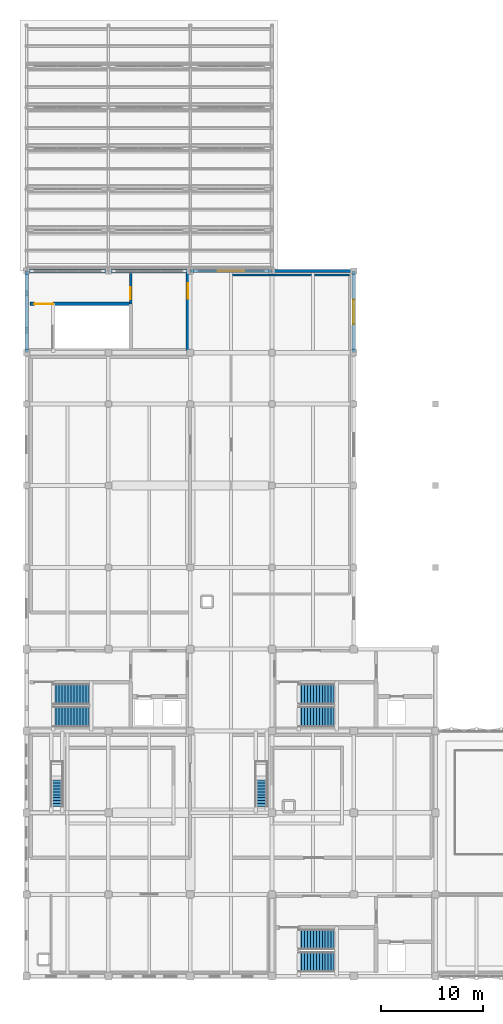
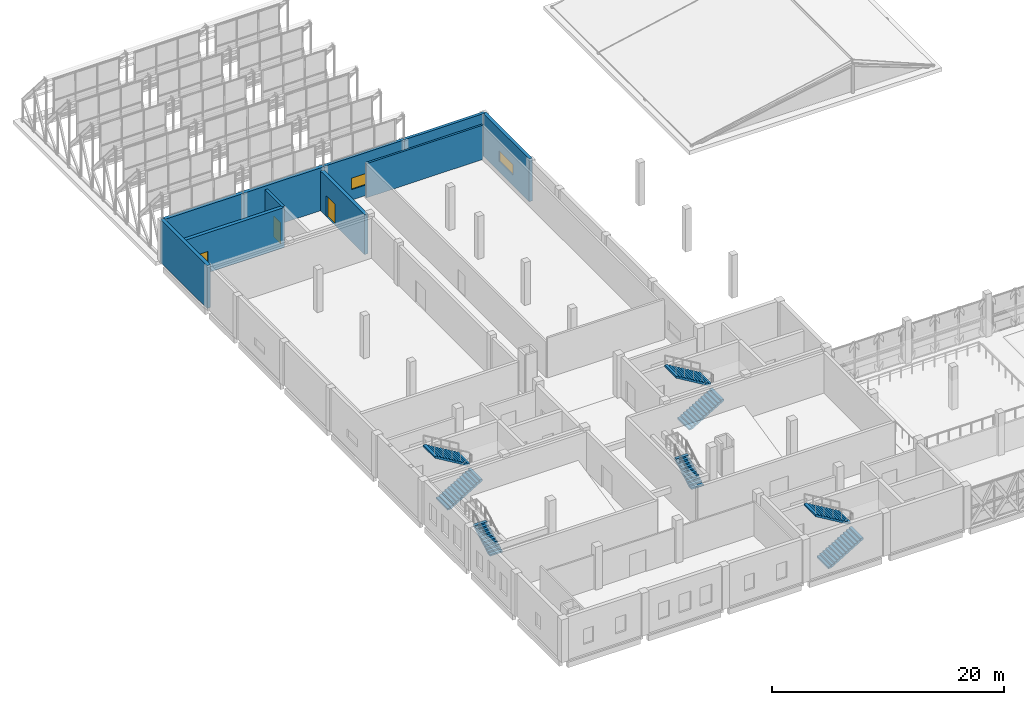
# One storey, part 39 of 43: 10 walls, 8 stair flights, 3 doors, 2 windows, 5 openings, 5 elements without a shape of their own.
"""IFC4 building model written with IfcOpenShell, lengths in metres."""

from ifc_helpers import new_model, si_unit, direction, frame, frame_2d, origin, place, context, subcontext, project, spatial, polyline, rectangle, outline, extrude, material, layer, layer_set, type_object, element, fill, aggregate, save


model = new_model("IFC4")

# Units and contexts
model_context = context("Model", 3, precision=1e-05, world=origin(), true_north=direction((0.0, 1.0)))
body_context = subcontext(model_context, "Body", "Model", "MODEL_VIEW")
ifc_project = project(units=[si_unit("LENGTHUNIT", "METRE"), si_unit("AREAUNIT", "SQUARE_METRE"), si_unit("VOLUMEUNIT", "CUBIC_METRE"), si_unit("PLANEANGLEUNIT", "RADIAN"), si_unit("MASSUNIT", "GRAM", prefix="KILO")], contexts=[model_context])

# Site, building, storey
site_placement = place(None, origin())
site = spatial("IfcSite", under=ifc_project, at=site_placement, CompositionType="ELEMENT")
building_placement = place(site_placement, origin())
building = spatial("IfcBuilding", under=site, at=building_placement, Name="Qorikala Patio Media Centre", CompositionType="ELEMENT")
storey_placement = place(building_placement, frame((0.0, 0.0, 18.89990234375)))
storey = spatial("IfcBuildingStorey", under=building, at=storey_placement, Name="L04", CompositionType="ELEMENT", Elevation=18.89990234375)

# Walls
ifc_material_1 = material(Name="Concrete C35/45", Category="concrete")
ifc_layer_1 = layer(ifc_material_1, 0.35009765625)
ifc_layer_set_1 = layer_set([ifc_layer_1], Name="Concrete C35/45")
wall_type_1 = type_object("IfcWallType", Name="WL-CORE-350", PredefinedType="SHEAR", material=ifc_layer_set_1)
for number, where, z_axis, x_axis, name in (
    (1, (3.0, 64.0, 0.0), (0.0, 0.0, 1.0), (0.0, 1.0, 0.0), "L04 Core C3 Exterior Shear Wall"),
    (2, (3.0, 72.0, 0.0), (0.0, 0.0, 1.0), (1.0, 0.0, 0.0), "L04 Core C3 Exterior Shear Wall"),
    (3, (11.0, 72.0, 0.0), (0.0, 0.0, 1.0), (1.0, 0.0, 0.0), "L04 Core C3 Exterior Shear Wall"),
):
    element("IfcWall", number, at=place(storey_placement, frame(where, z_axis=z_axis, x_axis=x_axis)), inside=storey, type_object=wall_type_1, Name=name, PredefinedType="SHEAR", context=body_context, shape_type="SweptSolid", body=[
        extrude(rectangle(XDim=8.0, YDim=0.35009765625, at=frame_2d((4.0, 0.0))), origin(), (0.0, 0.0, 1.0), 4.5),
    ])

# Wall, opening, door
wall_1_placement = place(storey_placement, frame((18.77490234375, 64.199951171875, 0.0), z_axis=(0.0, 0.0, 1.0), x_axis=(0.0, 1.0, 0.0)))
wall_1 = element("IfcWall", 4, at=wall_1_placement, inside=storey, type_object=wall_type_1, Name="L04 Interior Wall CW-L04-C3-EE", PredefinedType="SHEAR", context=body_context, shape_type="SweptSolid", body=[
    extrude(rectangle(XDim=7.60009765625, YDim=0.35009765625, at=frame_2d((3.800048828125, 0.0))), origin(), (0.0, 0.0, 1.0), 4.2001953125),
])
opening_1_placement = place(wall_1_placement, frame((5.10009765625, 0.0, 0.0)))
opening_1 = element("IfcOpeningElement", 5, at=opening_1_placement, cuts=wall_1, Name="Opening D118", PredefinedType="OPENING", context=body_context, shape_type="SweptSolid", body=[
    extrude(rectangle(XDim=1.5, YDim=2.199951171875, at=frame_2d((0.75, 1.10009765625))), frame((0.0, 0.18505859375, 0.0), z_axis=(0.0, -1.0, 0.0), x_axis=(1.0, 0.0, 0.0)), (0.0, 0.0, 1.0), 0.3701171875),
])
ifc_material_2 = material(Name="Powder-Coated Acoustic Fire Steel", Category="steel")
door_type_1 = type_object("IfcDoorType", Name="DR-FD60-150X220", OperationType="DOUBLE_DOOR_SINGLE_SWING", PredefinedType="DOOR", material=ifc_material_2)
door_1_placement = place(opening_1_placement, origin())
door_1 = element("IfcDoor", 6, at=door_1_placement, inside=storey, type_object=door_type_1, Name="L04 Core C3 East Corridor Fire Door", OperationType="DOUBLE_DOOR_SINGLE_SWING", OverallHeight=2.199951171875, OverallWidth=1.5, PredefinedType="DOOR", context=body_context, shape_type="SweptSolid", body=[
    extrude(rectangle(XDim=1.5, YDim=2.199951171875, at=frame_2d((0.75, 1.10009765625))), frame((0.0, 0.02490234375, 0.0), z_axis=(0.0, -1.0, 0.0), x_axis=(1.0, 0.0, 0.0)), (0.0, 0.0, 1.0), 0.050048828125),
])
fill(opening_1, door_1)

wall_2_placement = place(storey_placement, frame((3.35009765625, 68.77490234375, 0.0), z_axis=(0.0, 0.0, 1.0), x_axis=(1.0, 0.0, 0.0)))
wall_2 = element("IfcWall", 7, at=wall_2_placement, inside=storey, type_object=wall_type_1, Name="L04 Interior Wall CW-L04-C3-SN", PredefinedType="SHEAR", context=body_context, shape_type="SweptSolid", body=[
    extrude(rectangle(XDim=9.824951171875, YDim=0.35009765625, at=frame_2d((4.91259765625, 0.0))), origin(), (0.0, 0.0, 1.0), 4.2001953125),
])
opening_2_placement = place(wall_2_placement, frame((0.39990234375, 0.0, 0.0)))
opening_2 = element("IfcOpeningElement", 8, at=opening_2_placement, cuts=wall_2, Name="Opening D116", PredefinedType="OPENING", context=body_context, shape_type="SweptSolid", body=[
    extrude(rectangle(XDim=1.85009765625, YDim=2.25, at=frame_2d((0.925048828125, 1.125))), frame((0.0, 0.18505859375, 0.0), z_axis=(0.0, -1.0, 0.0), x_axis=(1.0, 0.0, 0.0)), (0.0, 0.0, 1.0), 0.3701171875),
])
door_type_2 = type_object("IfcDoorType", Name="DR-FD60-185X225", OperationType="DOUBLE_DOOR_SINGLE_SWING", PredefinedType="DOOR", material=ifc_material_2)
door_2_placement = place(opening_2_placement, origin())
door_2 = element("IfcDoor", 9, at=door_2_placement, inside=storey, type_object=door_type_2, Name="L04 Stair ST-3 Fire Door", OperationType="DOUBLE_DOOR_SINGLE_SWING", OverallHeight=2.25, OverallWidth=1.85009765625, PredefinedType="DOOR", context=body_context, shape_type="SweptSolid", body=[
    extrude(rectangle(XDim=1.85009765625, YDim=2.25, at=frame_2d((0.925048828125, 1.125))), frame((0.0, 0.02490234375, 0.0), z_axis=(0.0, -1.0, 0.0), x_axis=(1.0, 0.0, 0.0)), (0.0, 0.0, 1.0), 0.050048828125),
])
fill(opening_2, door_2)

# Wall, opening, window
ifc_material_3 = material(Name="Ivory Lime Stucco and Concrete C35/45", Category="concrete")
ifc_layer_2 = layer(ifc_material_3, 0.320068359375)
ifc_layer_set_2 = layer_set([ifc_layer_2], Name="Ivory Lime Stucco and Concrete C35/45")
wall_type_2 = type_object("IfcWallType", Name="WL-EXT-320", PredefinedType="SOLIDWALL", material=ifc_layer_set_2)
wall_3_placement = place(storey_placement, frame((35.0, 72.0, 0.0), z_axis=(0.0, 0.0, 1.0), x_axis=(0.0, -1.0, 0.0)))
wall_3 = element("IfcWall", 10, at=wall_3_placement, inside=storey, type_object=wall_type_2, Name="L04 Exterior Wall WL-L04-EXT-0030", PredefinedType="SOLIDWALL", context=body_context, shape_type="SweptSolid", body=[
    extrude(rectangle(XDim=8.0, YDim=0.320068359375, at=frame_2d((4.0, 0.0))), origin(), (0.0, 0.0, 1.0), 4.5),
])
opening_3_placement = place(wall_3_placement, frame((2.800048828125, 0.0, 1.10009765625)))
opening_3 = element("IfcOpeningElement", 11, at=opening_3_placement, cuts=wall_3, Name="Opening WL-240", PredefinedType="OPENING", context=body_context, shape_type="SweptSolid", body=[
    extrude(rectangle(XDim=2.39990234375, YDim=1.10009765625, at=frame_2d((1.199951171875, 0.550048828125))), frame((0.0, 0.169921875, 0.0), z_axis=(0.0, -1.0, 0.0), x_axis=(1.0, 0.0, 0.0)), (0.0, 0.0, 1.0), 0.340087890625),
])
ifc_material_4 = material(Name="Acoustic Laminated Low-E Glass", Category="glass")
window_type_1 = type_object("IfcWindowType", Name="WN-CL-240X110", PartitioningType="SINGLE_PANEL", PredefinedType="WINDOW", material=ifc_material_4)
window_1_placement = place(opening_3_placement, origin())
window_1 = element("IfcWindow", 12, at=window_1_placement, inside=storey, type_object=window_type_1, Name="L04 High Acoustic Clerestory Window 0233", OverallHeight=1.10009765625, OverallWidth=2.39990234375, PartitioningType="SINGLE_PANEL", PredefinedType="WINDOW", context=body_context, shape_type="SweptSolid", body=[
    extrude(rectangle(XDim=2.39990234375, YDim=1.10009765625, at=frame_2d((1.199951171875, 0.550048828125))), frame((0.0, 0.030029296875, 0.0), z_axis=(0.0, -1.0, 0.0), x_axis=(1.0, 0.0, 0.0)), (0.0, 0.0, 1.0), 0.06005859375),
])
fill(opening_3, window_1)

# Wall, opening, door
ifc_layer_3 = layer(ifc_material_1, 0.25)
ifc_layer_set_3 = layer_set([ifc_layer_3], Name="Concrete C35/45")
wall_type_3 = type_object("IfcWallType", Name="WL-FFL-250", PredefinedType="PARTITIONING", material=ifc_layer_set_3)
wall_4_placement = place(storey_placement, frame((13.175048828125, 68.77490234375, 0.0), z_axis=(0.0, 0.0, 1.0), x_axis=(0.0, 1.0, 0.0)))
wall_4 = element("IfcWall", 13, at=wall_4_placement, inside=storey, type_object=wall_type_3, Name="L04 Interior Wall CW-L04-C3-LBD", PredefinedType="PARTITIONING", context=body_context, shape_type="SweptSolid", body=[
    extrude(rectangle(XDim=2.97509765625, YDim=0.25, at=frame_2d((1.487548828125, 0.0))), origin(), (0.0, 0.0, 1.0), 4.2001953125),
])
opening_4_placement = place(wall_4_placement, frame((0.449951171875, 0.0, 0.0)))
opening_4 = element("IfcOpeningElement", 14, at=opening_4_placement, cuts=wall_4, Name="Opening D117", PredefinedType="OPENING", context=body_context, shape_type="SweptSolid", body=[
    extrude(rectangle(XDim=1.199951171875, YDim=2.199951171875, at=frame_2d((0.60009765625, 1.10009765625))), frame((0.0, 0.135009765625, 0.0), z_axis=(0.0, -1.0, 0.0), x_axis=(1.0, 0.0, 0.0)), (0.0, 0.0, 1.0), 0.27001953125),
])
ifc_material_5 = material(Name="Acoustic Fire Timber and Steel", Category="steel")
door_type_3 = type_object("IfcDoorType", Name="DR-FD60-120X220", OperationType="NOTDEFINED", PredefinedType="DOOR", material=ifc_material_5)
door_3_placement = place(opening_4_placement, origin())
door_3 = element("IfcDoor", 15, at=door_3_placement, inside=storey, type_object=door_type_3, Name="L04 Core C3 Firefighting Lobby Cross Door", OperationType="SINGLE_SWING_RIGHT", OverallHeight=2.199951171875, OverallWidth=1.199951171875, PredefinedType="DOOR", context=body_context, shape_type="SweptSolid", body=[
    extrude(rectangle(XDim=1.199951171875, YDim=2.199951171875, at=frame_2d((0.60009765625, 1.10009765625))), frame((0.0, 0.02490234375, 0.0), z_axis=(0.0, -1.0, 0.0), x_axis=(1.0, 0.0, 0.0)), (0.0, 0.0, 1.0), 0.050048828125),
])
fill(opening_4, door_3)

# Wall, opening, window
ifc_material_6 = material(Name="Warm Ochre Lime Stucco and Concrete C35/45", Category="concrete")
ifc_layer_4 = layer(ifc_material_6, 0.280029296875)
ifc_layer_set_4 = layer_set([ifc_layer_4], Name="Warm Ochre Lime Stucco and Concrete C35/45")
wall_type_4 = type_object("IfcWallType", Name="WL-OCHRE-280", PredefinedType="SOLIDWALL", material=ifc_layer_set_4)
wall_5_placement = place(storey_placement, frame((19.0, 72.0, 0.0), z_axis=(0.0, 0.0, 1.0), x_axis=(1.0, 0.0, 0.0)))
wall_5 = element("IfcWall", 16, at=wall_5_placement, inside=storey, type_object=wall_type_4, Name="L04 Exterior Wall WL-L04-EXT-0028", PredefinedType="SOLIDWALL", context=body_context, shape_type="SweptSolid", body=[
    extrude(rectangle(XDim=8.0, YDim=0.280029296875, at=frame_2d((4.0, 0.0))), origin(), (0.0, 0.0, 1.0), 4.5),
])
opening_5_placement = place(wall_5_placement, frame((2.699951171875, 0.0, 1.10009765625)))
opening_5 = element("IfcOpeningElement", 17, at=opening_5_placement, cuts=wall_5, Name="Opening WL-260", PredefinedType="OPENING", context=body_context, shape_type="SweptSolid", body=[
    extrude(rectangle(XDim=2.60009765625, YDim=1.199951171875, at=frame_2d((1.300048828125, 0.60009765625))), frame((0.0, 0.14990234375, 0.0), z_axis=(0.0, -1.0, 0.0), x_axis=(1.0, 0.0, 0.0)), (0.0, 0.0, 1.0), 0.300048828125),
])
window_type_2 = type_object("IfcWindowType", Name="WN-CL-260X120", PartitioningType="SINGLE_PANEL", PredefinedType="WINDOW", material=ifc_material_4)
window_2_placement = place(opening_5_placement, origin())
window_2 = element("IfcWindow", 18, at=window_2_placement, inside=storey, type_object=window_type_2, Name="L04 High Acoustic Clerestory Window 0232", OverallHeight=1.199951171875, OverallWidth=2.60009765625, PartitioningType="SINGLE_PANEL", PredefinedType="WINDOW", context=body_context, shape_type="SweptSolid", body=[
    extrude(rectangle(XDim=2.60009765625, YDim=1.199951171875, at=frame_2d((1.300048828125, 0.60009765625))), frame((0.0, 0.030029296875, 0.0), z_axis=(0.0, -1.0, 0.0), x_axis=(1.0, 0.0, 0.0)), (0.0, 0.0, 1.0), 0.06005859375),
])
fill(opening_5, window_2)

# Walls
wall_6_placement = place(storey_placement, frame((27.0, 72.0, 0.0), z_axis=(0.0, 0.0, 1.0), x_axis=(1.0, 0.0, 0.0)))
element("IfcWall", 19, at=wall_6_placement, inside=storey, type_object=wall_type_4, Name="L04 Exterior Wall WL-L04-EXT-0029", PredefinedType="SOLIDWALL", context=body_context, shape_type="SweptSolid", body=[
    extrude(rectangle(XDim=8.0, YDim=0.280029296875, at=frame_2d((4.0, 0.0))), origin(), (0.0, 0.0, 1.0), 4.5),
])
ifc_material_7 = material(Name="Acoustic Masonry and Plaster Concrete C30/37", Category="masonry")
ifc_layer_5 = layer(ifc_material_7, 0.199951171875)
ifc_layer_set_5 = layer_set([ifc_layer_5], Name="Acoustic Masonry and Plaster Concrete C30/37")
wall_type_5 = type_object("IfcWallType", Name="WL-ST-200", PredefinedType="PARTITIONING", material=ifc_layer_set_5)
wall_7_placement = place(storey_placement, frame((23.0, 71.60009765625, 0.0), z_axis=(0.0, 0.0, 1.0), x_axis=(1.0, 0.0, 0.0)))
element("IfcWall", 20, at=wall_7_placement, inside=storey, type_object=wall_type_5, Name="L04 Interior Wall WINT-L04-CLT4-N", PredefinedType="PARTITIONING", context=body_context, shape_type="SweptSolid", body=[
    extrude(rectangle(XDim=11.60009765625, YDim=0.199951171875, at=frame_2d((5.800048828125, 0.0))), origin(), (0.0, 0.0, 1.0), 3.60498046875),
])

# Stair, stair flights
ifc_material_8 = material(Name="Precast concrete C40/50", Category="concrete")
stair_type_1 = type_object("IfcStairType", Name="ST-DL-26R173W200", PredefinedType="HALF_TURN_STAIR", material=ifc_material_8)
stair_1_placement = place(storey_placement, origin())
stair_1 = element("IfcStair", 21, at=stair_1_placement, inside=storey, type_object=stair_type_1, Name="L04 Core C1 Exit Stair ST-1", PredefinedType="HALF_TURN_STAIR")
stair_flight_type_1 = type_object("IfcStairFlightType", Name="FL-DL-13R173W200", PredefinedType="STRAIGHT", material=ifc_material_8)
stair_flight_1_placement = place(storey_placement, frame((29.60009765625, 4.39990234375, 0.0), z_axis=(0.0, 0.0, 1.0), x_axis=(1.0, 0.0, 0.0)))
stair_flight_1 = element("IfcStairFlight", 22, at=stair_flight_1_placement, type_object=stair_flight_type_1, Name="ST-1 flight 1", NumberOfRisers=13, NumberOfTreads=12, PredefinedType="STRAIGHT", RiserHeight=0.173076923, TreadLength=0.29, context=body_context, shape_type="SweptSolid", body=[
    extrude(outline(polyline([(0.0, 0.0), (0.0, 0.173095703125), (0.2900390625, 0.173095703125), (0.2900390625, 0.34619140625), (0.580078125, 0.34619140625), (0.580078125, 0.519287109375), (0.8701171875, 0.519287109375), (0.8701171875, 0.6923828125), (1.159912109375, 0.6923828125), (1.159912109375, 0.865478515625), (1.449951171875, 0.865478515625), (1.449951171875, 1.03857421875), (1.739990234375, 1.03857421875), (1.739990234375, 1.21142578125), (2.030029296875, 1.21142578125), (2.030029296875, 1.384521484375), (2.320068359375, 1.384521484375), (2.320068359375, 1.5576171875), (2.610107421875, 1.5576171875), (2.610107421875, 1.730712890625), (2.89990234375, 1.730712890625), (2.89990234375, 1.90380859375), (3.18994140625, 1.90380859375), (3.18994140625, 2.076904296875), (3.47998046875, 2.076904296875), (3.47998046875, 2.25), (3.47998046875, 1.90234375), (0.29248046875, 0.0), (0.0, 0.0)])), frame((0.0, 1.0, 0.0), z_axis=(0.0, -1.0, 0.0), x_axis=(1.0, 0.0, 0.0)), (0.0, 0.0, 1.0), 2.0),
])
stair_flight_2_placement = place(storey_placement, frame((33.080078125, 6.60009765625, 2.25), z_axis=(0.0, 0.0, 1.0), x_axis=(-1.0, 0.0, 0.0)))
stair_flight_2 = element("IfcStairFlight", 23, at=stair_flight_2_placement, type_object=stair_flight_type_1, Name="ST-1 flight 2", NumberOfRisers=13, NumberOfTreads=12, PredefinedType="STRAIGHT", RiserHeight=0.173076923, TreadLength=0.29, context=body_context, shape_type="SweptSolid", body=[
    extrude(outline(polyline([(0.0, 0.0), (0.0, 0.173095703125), (0.2900390625, 0.173095703125), (0.2900390625, 0.34619140625), (0.580078125, 0.34619140625), (0.580078125, 0.519287109375), (0.8701171875, 0.519287109375), (0.8701171875, 0.6923828125), (1.159912109375, 0.6923828125), (1.159912109375, 0.865478515625), (1.449951171875, 0.865478515625), (1.449951171875, 1.03857421875), (1.739990234375, 1.03857421875), (1.739990234375, 1.21142578125), (2.030029296875, 1.21142578125), (2.030029296875, 1.384521484375), (2.320068359375, 1.384521484375), (2.320068359375, 1.5576171875), (2.610107421875, 1.5576171875), (2.610107421875, 1.730712890625), (2.89990234375, 1.730712890625), (2.89990234375, 1.90380859375), (3.18994140625, 1.90380859375), (3.18994140625, 2.076904296875), (3.47998046875, 2.076904296875), (3.47998046875, 2.25), (3.47998046875, 1.90234375), (0.29248046875, 0.0), (0.0, 0.0)])), frame((0.0, 1.0, 0.0), z_axis=(0.0, -1.0, 0.0), x_axis=(1.0, 0.0, 0.0)), (0.0, 0.0, 1.0), 2.0),
])
aggregate(stair_1, [stair_flight_1, stair_flight_2])

stair_2_placement = place(storey_placement, origin())
stair_2 = element("IfcStair", 24, at=stair_2_placement, inside=storey, type_object=stair_type_1, Name="L04 Core C2 Exit Stair ST-2", PredefinedType="HALF_TURN_STAIR")
stair_flight_3_placement = place(storey_placement, frame((5.60009765625, 28.39990234375, 0.0), z_axis=(0.0, 0.0, 1.0), x_axis=(1.0, 0.0, 0.0)))
stair_flight_3 = element("IfcStairFlight", 25, at=stair_flight_3_placement, type_object=stair_flight_type_1, Name="ST-2 flight 1", NumberOfRisers=13, NumberOfTreads=12, PredefinedType="STRAIGHT", RiserHeight=0.173076923, TreadLength=0.29, context=body_context, shape_type="SweptSolid", body=[
    extrude(outline(polyline([(0.0, 0.0), (0.0, 0.173095703125), (0.2900390625, 0.173095703125), (0.2900390625, 0.34619140625), (0.580078125, 0.34619140625), (0.580078125, 0.519287109375), (0.8701171875, 0.519287109375), (0.8701171875, 0.6923828125), (1.159912109375, 0.6923828125), (1.159912109375, 0.865478515625), (1.449951171875, 0.865478515625), (1.449951171875, 1.03857421875), (1.739990234375, 1.03857421875), (1.739990234375, 1.21142578125), (2.030029296875, 1.21142578125), (2.030029296875, 1.384521484375), (2.320068359375, 1.384521484375), (2.320068359375, 1.5576171875), (2.610107421875, 1.5576171875), (2.610107421875, 1.730712890625), (2.89990234375, 1.730712890625), (2.89990234375, 1.90380859375), (3.18994140625, 1.90380859375), (3.18994140625, 2.076904296875), (3.47998046875, 2.076904296875), (3.47998046875, 2.25), (3.47998046875, 1.90234375), (0.29248046875, 0.0), (0.0, 0.0)])), frame((0.0, 1.0, 0.0), z_axis=(0.0, -1.0, 0.0), x_axis=(1.0, 0.0, 0.0)), (0.0, 0.0, 1.0), 2.0),
])
stair_flight_4_placement = place(storey_placement, frame((9.080078125, 30.60009765625, 2.25), z_axis=(0.0, 0.0, 1.0), x_axis=(-1.0, 0.0, 0.0)))
stair_flight_4 = element("IfcStairFlight", 26, at=stair_flight_4_placement, type_object=stair_flight_type_1, Name="ST-2 flight 2", NumberOfRisers=13, NumberOfTreads=12, PredefinedType="STRAIGHT", RiserHeight=0.173076923, TreadLength=0.29, context=body_context, shape_type="SweptSolid", body=[
    extrude(outline(polyline([(0.0, 0.0), (0.0, 0.173095703125), (0.2900390625, 0.173095703125), (0.2900390625, 0.34619140625), (0.580078125, 0.34619140625), (0.580078125, 0.519287109375), (0.8701171875, 0.519287109375), (0.8701171875, 0.6923828125), (1.159912109375, 0.6923828125), (1.159912109375, 0.865478515625), (1.449951171875, 0.865478515625), (1.449951171875, 1.03857421875), (1.739990234375, 1.03857421875), (1.739990234375, 1.21142578125), (2.030029296875, 1.21142578125), (2.030029296875, 1.384521484375), (2.320068359375, 1.384521484375), (2.320068359375, 1.5576171875), (2.610107421875, 1.5576171875), (2.610107421875, 1.730712890625), (2.89990234375, 1.730712890625), (2.89990234375, 1.90380859375), (3.18994140625, 1.90380859375), (3.18994140625, 2.076904296875), (3.47998046875, 2.076904296875), (3.47998046875, 2.25), (3.47998046875, 1.90234375), (0.29248046875, 0.0), (0.0, 0.0)])), frame((0.0, 1.0, 0.0), z_axis=(0.0, -1.0, 0.0), x_axis=(1.0, 0.0, 0.0)), (0.0, 0.0, 1.0), 2.0),
])
aggregate(stair_2, [stair_flight_3, stair_flight_4])

stair_3_placement = place(storey_placement, origin())
stair_3 = element("IfcStair", 27, at=stair_3_placement, inside=storey, type_object=stair_type_1, Name="L04 Core C5 Exit Stair ST-5", PredefinedType="HALF_TURN_STAIR")
stair_flight_5_placement = place(storey_placement, frame((29.60009765625, 28.39990234375, 0.0), z_axis=(0.0, 0.0, 1.0), x_axis=(1.0, 0.0, 0.0)))
stair_flight_5 = element("IfcStairFlight", 28, at=stair_flight_5_placement, type_object=stair_flight_type_1, Name="ST-5 flight 1", NumberOfRisers=13, NumberOfTreads=12, PredefinedType="STRAIGHT", RiserHeight=0.173076923, TreadLength=0.29, context=body_context, shape_type="SweptSolid", body=[
    extrude(outline(polyline([(0.0, 0.0), (0.0, 0.173095703125), (0.2900390625, 0.173095703125), (0.2900390625, 0.34619140625), (0.580078125, 0.34619140625), (0.580078125, 0.519287109375), (0.8701171875, 0.519287109375), (0.8701171875, 0.6923828125), (1.159912109375, 0.6923828125), (1.159912109375, 0.865478515625), (1.449951171875, 0.865478515625), (1.449951171875, 1.03857421875), (1.739990234375, 1.03857421875), (1.739990234375, 1.21142578125), (2.030029296875, 1.21142578125), (2.030029296875, 1.384521484375), (2.320068359375, 1.384521484375), (2.320068359375, 1.5576171875), (2.610107421875, 1.5576171875), (2.610107421875, 1.730712890625), (2.89990234375, 1.730712890625), (2.89990234375, 1.90380859375), (3.18994140625, 1.90380859375), (3.18994140625, 2.076904296875), (3.47998046875, 2.076904296875), (3.47998046875, 2.25), (3.47998046875, 1.90234375), (0.29248046875, 0.0), (0.0, 0.0)])), frame((0.0, 1.0, 0.0), z_axis=(0.0, -1.0, 0.0), x_axis=(1.0, 0.0, 0.0)), (0.0, 0.0, 1.0), 2.0),
])
stair_flight_6_placement = place(storey_placement, frame((33.080078125, 30.60009765625, 2.25), z_axis=(0.0, 0.0, 1.0), x_axis=(-1.0, 0.0, 0.0)))
stair_flight_6 = element("IfcStairFlight", 29, at=stair_flight_6_placement, type_object=stair_flight_type_1, Name="ST-5 flight 2", NumberOfRisers=13, NumberOfTreads=12, PredefinedType="STRAIGHT", RiserHeight=0.173076923, TreadLength=0.29, context=body_context, shape_type="SweptSolid", body=[
    extrude(outline(polyline([(0.0, 0.0), (0.0, 0.173095703125), (0.2900390625, 0.173095703125), (0.2900390625, 0.34619140625), (0.580078125, 0.34619140625), (0.580078125, 0.519287109375), (0.8701171875, 0.519287109375), (0.8701171875, 0.6923828125), (1.159912109375, 0.6923828125), (1.159912109375, 0.865478515625), (1.449951171875, 0.865478515625), (1.449951171875, 1.03857421875), (1.739990234375, 1.03857421875), (1.739990234375, 1.21142578125), (2.030029296875, 1.21142578125), (2.030029296875, 1.384521484375), (2.320068359375, 1.384521484375), (2.320068359375, 1.5576171875), (2.610107421875, 1.5576171875), (2.610107421875, 1.730712890625), (2.89990234375, 1.730712890625), (2.89990234375, 1.90380859375), (3.18994140625, 1.90380859375), (3.18994140625, 2.076904296875), (3.47998046875, 2.076904296875), (3.47998046875, 2.25), (3.47998046875, 1.90234375), (0.29248046875, 0.0), (0.0, 0.0)])), frame((0.0, 1.0, 0.0), z_axis=(0.0, -1.0, 0.0), x_axis=(1.0, 0.0, 0.0)), (0.0, 0.0, 1.0), 2.0),
])
aggregate(stair_3, [stair_flight_5, stair_flight_6])

# Stair, stair flight
stair_type_2 = type_object("IfcStairType", Name="ST-VOM-STR", PredefinedType="STRAIGHT_RUN_STAIR", material=ifc_material_1)
stair_4_placement = place(storey_placement, origin())
stair_4 = element("IfcStair", 30, at=stair_4_placement, inside=storey, type_object=stair_type_2, Name="Vomitory Stair VS-05", PredefinedType="STRAIGHT_RUN_STAIR")
stair_flight_type_2 = type_object("IfcStairFlightType", Name="FL-VOM-STR", PredefinedType="STRAIGHT", material=ifc_material_1)
stair_flight_7_placement = place(storey_placement, frame((5.949951171875, 19.60009765625, 0.0), z_axis=(0.0, 0.0, 1.0), x_axis=(0.0, 1.0, 0.0)))
stair_flight_7 = element("IfcStairFlight", 31, at=stair_flight_7_placement, type_object=stair_flight_type_2, Name="VS-05 flight 1", NumberOfRisers=11, NumberOfTreads=10, PredefinedType="STRAIGHT", RiserHeight=0.16364, TreadLength=0.29, context=body_context, shape_type="SweptSolid", body=[
    extrude(outline(polyline([(0.0, 0.0), (0.0, 0.16357421875), (0.2900390625, 0.16357421875), (0.2900390625, 0.327392578125), (0.580078125, 0.327392578125), (0.580078125, 0.490966796875), (0.8701171875, 0.490966796875), (0.8701171875, 0.654541015625), (1.159912109375, 0.654541015625), (1.159912109375, 0.818115234375), (1.449951171875, 0.818115234375), (1.449951171875, 0.98193359375), (1.739990234375, 0.98193359375), (1.739990234375, 1.1455078125), (2.030029296875, 1.1455078125), (2.030029296875, 1.30908203125), (2.320068359375, 1.30908203125), (2.320068359375, 1.47265625), (2.610107421875, 1.47265625), (2.610107421875, 1.636474609375), (2.89990234375, 1.636474609375), (2.89990234375, 1.800048828125), (2.89990234375, 1.4296875), (0.3662109375, 0.0), (0.0, 0.0)])), frame((0.0, 0.625, 0.0), z_axis=(0.0, -1.0, 0.0), x_axis=(1.0, 0.0, 0.0)), (0.0, 0.0, 1.0), 1.25),
])
aggregate(stair_4, [stair_flight_7])

stair_5_placement = place(storey_placement, origin())
stair_5 = element("IfcStair", 32, at=stair_5_placement, inside=storey, type_object=stair_type_2, Name="Vomitory Stair VS-06", PredefinedType="STRAIGHT_RUN_STAIR")
stair_flight_8_placement = place(storey_placement, frame((25.949951171875, 19.60009765625, 0.0), z_axis=(0.0, 0.0, 1.0), x_axis=(0.0, 1.0, 0.0)))
stair_flight_8 = element("IfcStairFlight", 33, at=stair_flight_8_placement, type_object=stair_flight_type_2, Name="VS-06 flight 1", NumberOfRisers=11, NumberOfTreads=10, PredefinedType="STRAIGHT", RiserHeight=0.16364, TreadLength=0.29, context=body_context, shape_type="SweptSolid", body=[
    extrude(outline(polyline([(0.0, 0.0), (0.0, 0.16357421875), (0.2900390625, 0.16357421875), (0.2900390625, 0.327392578125), (0.580078125, 0.327392578125), (0.580078125, 0.490966796875), (0.8701171875, 0.490966796875), (0.8701171875, 0.654541015625), (1.159912109375, 0.654541015625), (1.159912109375, 0.818115234375), (1.449951171875, 0.818115234375), (1.449951171875, 0.98193359375), (1.739990234375, 0.98193359375), (1.739990234375, 1.1455078125), (2.030029296875, 1.1455078125), (2.030029296875, 1.30908203125), (2.320068359375, 1.30908203125), (2.320068359375, 1.47265625), (2.610107421875, 1.47265625), (2.610107421875, 1.636474609375), (2.89990234375, 1.636474609375), (2.89990234375, 1.800048828125), (2.89990234375, 1.4296875), (0.3662109375, 0.0), (0.0, 0.0)])), frame((0.0, 0.625, 0.0), z_axis=(0.0, -1.0, 0.0), x_axis=(1.0, 0.0, 0.0)), (0.0, 0.0, 1.0), 1.25),
])
aggregate(stair_5, [stair_flight_8])

save(model, "model.ifc")
